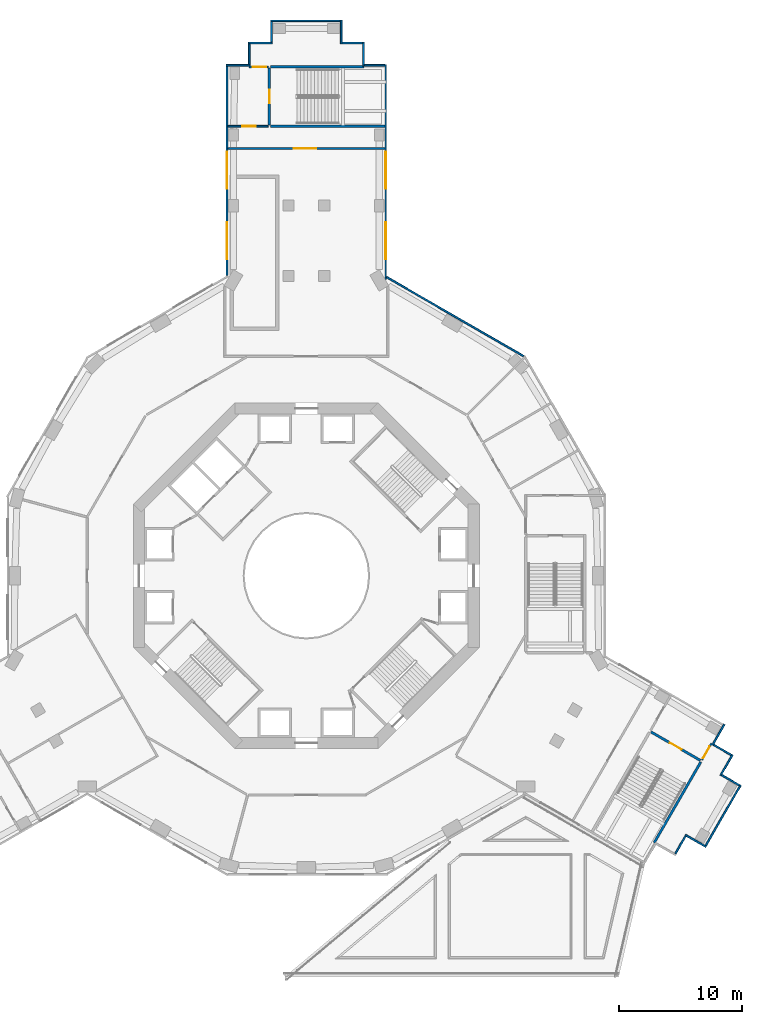
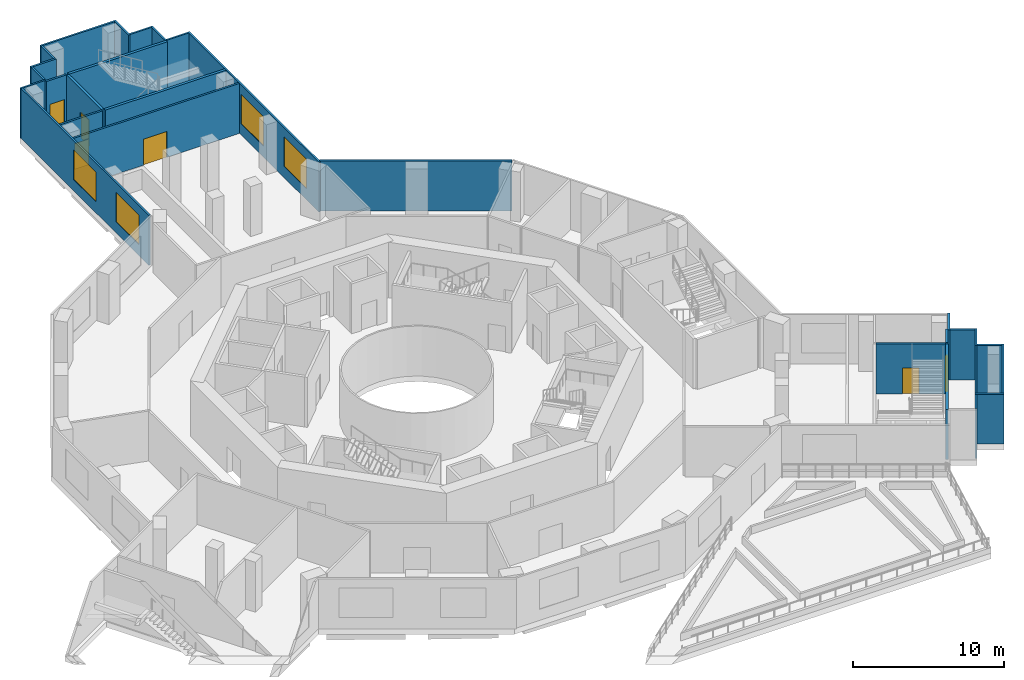
# One storey, part 7 of 21: 28 walls, 6 doors, 4 windows, 10 openings.
"""IFC4 building model written with IfcOpenShell, lengths in metres."""

from ifc_helpers import new_model, si_unit, direction, frame, frame_2d, origin, place, context, subcontext, project, spatial, rectangle, extrude, material, layer, layer_set, type_object, element, fill, save


model = new_model("IFC4")

# Units and contexts
model_context = context("Model", 3, precision=1e-05, world=origin(), true_north=direction((0.0, 1.0)))
body_context = subcontext(model_context, "Body", "Model", "MODEL_VIEW")
ifc_project = project(units=[si_unit("LENGTHUNIT", "METRE"), si_unit("AREAUNIT", "SQUARE_METRE"), si_unit("VOLUMEUNIT", "CUBIC_METRE"), si_unit("PLANEANGLEUNIT", "RADIAN"), si_unit("MASSUNIT", "GRAM", prefix="KILO")], contexts=[model_context])

# Site, building, storey
site_placement = place(None, origin())
site = spatial("IfcSite", under=ifc_project, at=site_placement, CompositionType="ELEMENT")
building_placement = place(site_placement, origin())
building = spatial("IfcBuilding", under=site, at=building_placement, Name="Verdalira Terraces Hotel", CompositionType="ELEMENT")
storey_placement = place(building_placement, frame((0.0, 0.0, 19.0)))
storey = spatial("IfcBuildingStorey", under=building, at=storey_placement, Name="L03", CompositionType="ELEMENT", Elevation=19.0)

# Wall, opening, door
ifc_material_1 = material(Name="Gypsum board partition on steel stud", Category="steel")
ifc_layer_1 = layer(ifc_material_1, 0.14990234375)
ifc_layer_set_1 = layer_set([ifc_layer_1], Name="Fire-rated partition 150 mm")
wall_type_1 = type_object("IfcWallType", Name="Fire-rated partition 150 mm", PredefinedType="PARTITIONING", material=ifc_layer_set_1)
wall_1_placement = place(storey_placement, frame((-6.360107, 34.600098, 0.0), z_axis=(0.0, 0.0, 1.0), x_axis=(1.0, 0.0, 0.0)))
wall_1 = element("IfcWall", 1, at=wall_1_placement, inside=storey, type_object=wall_type_1, Name="Partition", PredefinedType="PARTITIONING", context=body_context, shape_type="SweptSolid", body=[
    extrude(rectangle(XDim=12.720215, YDim=0.149902, at=frame_2d((6.360107, 0.0))), origin(), (0.0, 0.0, 1.0), 4.050049),
])
opening_1_placement = place(wall_1_placement, frame((5.350098, 0.0, 0.0)))
opening_1 = element("IfcOpeningElement", 2, at=opening_1_placement, cuts=wall_1, Name="Opening L03-D10", PredefinedType="OPENING", context=body_context, shape_type="SweptSolid", body=[
    extrude(rectangle(XDim=1.800049, YDim=2.100098, at=frame_2d((0.899902, 1.050049))), frame((0.0, 0.084961, 0.0), z_axis=(0.0, -1.0, 0.0), x_axis=(1.0, 0.0, 0.0)), (0.0, 0.0, 1.0), 0.169922),
])
ifc_material_2 = material(Name="Steel fire door", Category="steel")
door_type_1 = type_object("IfcDoorType", Name="Fire door pair 1800 x 2100", OperationType="DOUBLE_DOOR_SINGLE_SWING", PredefinedType="DOOR", material=ifc_material_2)
door_1_placement = place(opening_1_placement, origin())
door_1 = element("IfcDoor", 3, at=door_1_placement, inside=storey, type_object=door_type_1, Name="Stair approach corridor door", OperationType="DOUBLE_DOOR_SINGLE_SWING", OverallHeight=2.10009765625, OverallWidth=1.800048828125, PredefinedType="DOOR", context=body_context, shape_type="SweptSolid", body=[
    extrude(rectangle(XDim=1.800049, YDim=2.100098, at=frame_2d((0.899902, 1.050049))), frame((0.0, 0.024902, 0.0), z_axis=(0.0, -1.0, 0.0), x_axis=(1.0, 0.0, 0.0)), (0.0, 0.0, 1.0), 0.050049),
])
fill(opening_1, door_1)

wall_2_placement = place(storey_placement, frame((-3.099854, 36.399902, 0.0), z_axis=(0.0, 0.0, 1.0), x_axis=(-1.0, 0.0, 0.0)))
wall_2 = element("IfcWall", 4, at=wall_2_placement, inside=storey, type_object=wall_type_1, Name="Partition", PredefinedType="PARTITIONING", context=body_context, shape_type="SweptSolid", body=[
    extrude(rectangle(XDim=3.260254, YDim=0.149902, at=frame_2d((1.630127, 0.0))), origin(), (0.0, 0.0, 1.0), 4.050049),
])
opening_2_placement = place(wall_2_placement, frame((1.010254, 0.0, 0.0)))
opening_2 = element("IfcOpeningElement", 5, at=opening_2_placement, cuts=wall_2, Name="Opening L03-D11", PredefinedType="OPENING", context=body_context, shape_type="SweptSolid", body=[
    extrude(rectangle(XDim=1.100098, YDim=2.100098, at=frame_2d((0.550049, 1.050049))), frame((0.0, 0.084961, 0.0), z_axis=(0.0, -1.0, 0.0), x_axis=(1.0, 0.0, 0.0)), (0.0, 0.0, 1.0), 0.169922),
])
ifc_material_3 = material(Name="Steel fire door", Category="steel")
door_type_2 = type_object("IfcDoorType", Name="Stair door 1100 x 2100", OperationType="SINGLE_SWING_LEFT", PredefinedType="DOOR", material=ifc_material_3)
door_2_placement = place(opening_2_placement, origin())
door_2 = element("IfcDoor", 6, at=door_2_placement, inside=storey, type_object=door_type_2, Name="Stair door Stair approach corridor", OperationType="SINGLE_SWING_RIGHT", OverallHeight=2.10009765625, OverallWidth=1.10009765625, PredefinedType="DOOR", context=body_context, shape_type="SweptSolid", body=[
    extrude(rectangle(XDim=1.100098, YDim=2.100098, at=frame_2d((0.550049, 1.050049))), frame((0.0, 0.024902, 0.0), z_axis=(0.0, -1.0, 0.0), x_axis=(1.0, 0.0, 0.0)), (0.0, 0.0, 1.0), 0.050049),
])
fill(opening_2, door_2)

wall_3_placement = place(storey_placement, frame((-4.64502, 41.199951, 0.0), z_axis=(0.0, 0.0, 1.0), x_axis=(1.0, 0.0, 0.0)))
wall_3 = element("IfcWall", 7, at=wall_3_placement, inside=storey, type_object=wall_type_1, Name="Partition", PredefinedType="PARTITIONING", context=body_context, shape_type="SweptSolid", body=[
    extrude(rectangle(XDim=1.545166, YDim=0.149902, at=frame_2d((0.772461, 0.0))), origin(), (0.0, 0.0, 1.0), 4.050049),
])
opening_3_placement = place(wall_3_placement, frame((0.29541, 0.0, 0.0)))
opening_3 = element("IfcOpeningElement", 8, at=opening_3_placement, cuts=wall_3, Name="Opening L03-D13", PredefinedType="OPENING", context=body_context, shape_type="SweptSolid", body=[
    extrude(rectangle(XDim=1.100098, YDim=2.100098, at=frame_2d((0.550049, 1.050049))), frame((0.0, 0.084961, 0.0), z_axis=(0.0, -1.0, 0.0), x_axis=(1.0, 0.0, 0.0)), (0.0, 0.0, 1.0), 0.169922),
])
door_3_placement = place(opening_3_placement, origin())
door_3 = element("IfcDoor", 9, at=door_3_placement, inside=storey, type_object=door_type_2, Name="Stair door Stair vestibule PS1", OperationType="SINGLE_SWING_RIGHT", OverallHeight=2.10009765625, OverallWidth=1.10009765625, PredefinedType="DOOR", context=body_context, shape_type="SweptSolid", body=[
    extrude(rectangle(XDim=1.100098, YDim=2.100098, at=frame_2d((0.550049, 1.050049))), frame((0.0, 0.024902, 0.0), z_axis=(0.0, -1.0, 0.0), x_axis=(1.0, 0.0, 0.0)), (0.0, 0.0, 1.0), 0.050049),
])
fill(opening_3, door_3)

wall_4_placement = place(storey_placement, frame((32.806641, -13.577148, 0.0), z_axis=(0.0, 0.0, 1.0), x_axis=(-0.499995951, -0.866027742, 0.0)))
wall_4 = element("IfcWall", 10, at=wall_4_placement, inside=storey, type_object=wall_type_1, Name="Partition", PredefinedType="PARTITIONING", context=body_context, shape_type="SweptSolid", body=[
    extrude(rectangle(XDim=1.54541, YDim=0.149902, at=frame_2d((0.772705, 0.0))), origin(), (0.0, 0.0, 1.0), 4.050049),
])
opening_4_placement = place(wall_4_placement, frame((0.29541, 0.0, 0.0)))
opening_4 = element("IfcOpeningElement", 11, at=opening_4_placement, cuts=wall_4, Name="Opening L03-D27", PredefinedType="OPENING", context=body_context, shape_type="SweptSolid", body=[
    extrude(rectangle(XDim=1.100098, YDim=2.100098, at=frame_2d((0.550049, 1.050049))), frame((0.0, 0.084961, 0.0), z_axis=(0.0, -1.0, 0.0), x_axis=(1.0, 0.0, 0.0)), (0.0, 0.0, 1.0), 0.169922),
])
door_4_placement = place(opening_4_placement, origin())
door_4 = element("IfcDoor", 12, at=door_4_placement, inside=storey, type_object=door_type_2, Name="Stair door Stair vestibule PS3", OperationType="SINGLE_SWING_RIGHT", OverallHeight=2.10009765625, OverallWidth=1.10009765625, PredefinedType="DOOR", context=body_context, shape_type="SweptSolid", body=[
    extrude(rectangle(XDim=1.100098, YDim=2.100098, at=frame_2d((0.550049, 1.050049))), frame((0.0, 0.024902, 0.0), z_axis=(0.0, -1.0, 0.0), x_axis=(1.0, 0.0, 0.0)), (0.0, 0.0, 1.0), 0.050049),
])
fill(opening_4, door_4)

# Wall
ifc_material_4 = material(Name="Concrete C50", Category="concrete")
ifc_layer_2 = layer(ifc_material_4, 0.199951171875)
ifc_layer_set_2 = layer_set([ifc_layer_2], Name="Stair enclosure wall 200 mm")
wall_type_2 = type_object("IfcWallType", Name="Stair enclosure wall 200 mm", PredefinedType="SOLIDWALL", material=ifc_layer_set_2)
wall_5_placement = place(storey_placement, frame((-2.900146, 36.399902, 0.0), z_axis=(0.0, 0.0, 1.0), x_axis=(1.0, 0.0, 0.0)))
element("IfcWall", 13, at=wall_5_placement, inside=storey, type_object=wall_type_2, Name="Stair enclosure wall", PredefinedType="SOLIDWALL", context=body_context, shape_type="SweptSolid", body=[
    extrude(rectangle(XDim=9.260254, YDim=0.199951, at=frame_2d((4.630127, 0.0))), origin(), (0.0, 0.0, 1.0), 4.050049),
])

# Wall, opening, door
wall_6_placement = place(storey_placement, frame((-3.0, 36.5, 0.0), z_axis=(0.0, 0.0, 1.0), x_axis=(0.0, 1.0, 0.0)))
wall_6 = element("IfcWall", 14, at=wall_6_placement, inside=storey, type_object=wall_type_2, Name="Stair enclosure wall", PredefinedType="SOLIDWALL", context=body_context, shape_type="SweptSolid", body=[
    extrude(rectangle(XDim=4.600098, YDim=0.199951, at=frame_2d((2.300049, 0.0))), origin(), (0.0, 0.0, 1.0), 4.050049),
])
opening_5_placement = place(wall_6_placement, frame((1.75, 0.0, 0.0)))
opening_5 = element("IfcOpeningElement", 15, at=opening_5_placement, cuts=wall_6, Name="Opening L03-D14", PredefinedType="OPENING", context=body_context, shape_type="SweptSolid", body=[
    extrude(rectangle(XDim=1.100098, YDim=2.100098, at=frame_2d((0.550049, 1.050049))), frame((0.0, 0.109863, 0.0), z_axis=(0.0, -1.0, 0.0), x_axis=(1.0, 0.0, 0.0)), (0.0, 0.0, 1.0), 0.219971),
])
door_5_placement = place(opening_5_placement, origin())
door_5 = element("IfcDoor", 16, at=door_5_placement, inside=storey, type_object=door_type_2, Name="Stair door Stair lobby PS1", OperationType="SINGLE_SWING_LEFT", OverallHeight=2.10009765625, OverallWidth=1.10009765625, PredefinedType="DOOR", context=body_context, shape_type="SweptSolid", body=[
    extrude(rectangle(XDim=1.100098, YDim=2.100098, at=frame_2d((0.550049, 1.050049))), frame((0.0, 0.024902, 0.0), z_axis=(0.0, -1.0, 0.0), x_axis=(1.0, 0.0, 0.0)), (0.0, 0.0, 1.0), 0.050049),
])
fill(opening_5, door_5)

# Walls
for number, where, z_axis, x_axis, name in (
    (17, (4.64502, 41.199951, 0.0), (0.0, 0.0, 1.0), (-1.0, 0.0, 0.0), "Stair enclosure wall"),
    (18, (28.161621, -21.622803, 0.0), (0.0, 0.0, 1.0), (0.499981072, 0.866036332, 0.0), "Stair enclosure wall"),
):
    element("IfcWall", number, at=place(storey_placement, frame(where, z_axis=z_axis, x_axis=x_axis)), inside=storey, type_object=wall_type_2, Name=name, PredefinedType="SOLIDWALL", context=body_context, shape_type="SweptSolid", body=[
        extrude(rectangle(XDim=7.545166, YDim=0.199951, at=frame_2d((3.772461, 0.0))), origin(), (0.0, 0.0, 1.0), 4.050049),
    ])

# Wall, opening, door
wall_7_placement = place(storey_placement, frame((27.913818, -12.651855, 0.0), z_axis=(0.0, 0.0, 1.0), x_axis=(0.86601677, -0.500014953, 0.0)))
wall_7 = element("IfcWall", 19, at=wall_7_placement, inside=storey, type_object=wall_type_2, Name="Stair enclosure wall", PredefinedType="SOLIDWALL", context=body_context, shape_type="SweptSolid", body=[
    extrude(rectangle(XDim=4.599854, YDim=0.199951, at=frame_2d((2.299805, 0.0))), origin(), (0.0, 0.0, 1.0), 4.050049),
])
opening_6_placement = place(wall_7_placement, frame((1.75, 0.0, 0.0)))
opening_6 = element("IfcOpeningElement", 20, at=opening_6_placement, cuts=wall_7, Name="Opening L03-D26", PredefinedType="OPENING", context=body_context, shape_type="SweptSolid", body=[
    extrude(rectangle(XDim=1.100098, YDim=2.100098, at=frame_2d((0.550049, 1.050049))), frame((0.0, 0.109863, 0.0), z_axis=(0.0, -1.0, 0.0), x_axis=(1.0, 0.0, 0.0)), (0.0, 0.0, 1.0), 0.219971),
])
door_6_placement = place(opening_6_placement, origin())
door_6 = element("IfcDoor", 21, at=door_6_placement, inside=storey, type_object=door_type_2, Name="Stair door Stair lobby PS3", OperationType="SINGLE_SWING_LEFT", OverallHeight=2.10009765625, OverallWidth=1.10009765625, PredefinedType="DOOR", context=body_context, shape_type="SweptSolid", body=[
    extrude(rectangle(XDim=1.100098, YDim=2.100098, at=frame_2d((0.550049, 1.050049))), frame((0.0, 0.024902, 0.0), z_axis=(0.0, -1.0, 0.0), x_axis=(1.0, 0.0, 0.0)), (0.0, 0.0, 1.0), 0.050049),
])
fill(opening_6, door_6)

# Wall, openings, windows
ifc_material_5 = material(Name="Concrete C40", Category="concrete")
ifc_layer_3 = layer(ifc_material_5, 0.139892578125)
ifc_layer_set_3 = layer_set([ifc_layer_3], Name="Terracotta clad concrete wall C40 140 mm")
wall_type_3 = type_object("IfcWallType", Name="Terracotta clad concrete wall C40 140 mm", PredefinedType="SOLIDWALL", material=ifc_layer_set_3)
wall_8_placement = place(storey_placement, frame((6.429932, 23.995117, 0.0), z_axis=(0.0, 0.0, 1.0), x_axis=(0.0, 1.0, 0.0)))
wall_8 = element("IfcWall", 22, at=wall_8_placement, inside=storey, type_object=wall_type_3, Name="Podium facade wall", PredefinedType="SOLIDWALL", context=body_context, shape_type="SweptSolid", body=[
    extrude(rectangle(XDim=17.404785, YDim=0.139893, at=frame_2d((8.702393, 0.0))), origin(), (0.0, 0.0, 1.0), 4.050049),
])
opening_7_placement = place(wall_8_placement, frame((1.634277, 0.0, 0.899902)))
opening_7 = element("IfcOpeningElement", 23, at=opening_7_placement, cuts=wall_8, Name="Opening WP", PredefinedType="OPENING", context=body_context, shape_type="SweptSolid", body=[
    extrude(rectangle(XDim=3.0, YDim=2.399902, at=frame_2d((1.5, 1.199951))), frame((0.0, 0.079834, 0.0), z_axis=(0.0, -1.0, 0.0), x_axis=(1.0, 0.0, 0.0)), (0.0, 0.0, 1.0), 0.159912),
])
opening_8_placement = place(wall_8_placement, frame((7.333984, 0.0, 0.899902)))
opening_8 = element("IfcOpeningElement", 24, at=opening_8_placement, cuts=wall_8, Name="Opening WP", PredefinedType="OPENING", context=body_context, shape_type="SweptSolid", body=[
    extrude(rectangle(XDim=3.0, YDim=2.399902, at=frame_2d((1.5, 1.199951))), frame((0.0, 0.079834, 0.0), z_axis=(0.0, -1.0, 0.0), x_axis=(1.0, 0.0, 0.0)), (0.0, 0.0, 1.0), 0.159912),
])
ifc_material_6 = material(Name="Clear double glazing in aluminium frame", Category="aluminium")
window_type = type_object("IfcWindowType", Name="Podium window 3000 x 2400", PartitioningType="SINGLE_PANEL", PredefinedType="WINDOW", material=ifc_material_6)
window_1_placement = place(opening_7_placement, origin())
window_1 = element("IfcWindow", 25, at=window_1_placement, inside=storey, type_object=window_type, Name="Podium window", OverallHeight=2.39990234375, OverallWidth=3.0, PartitioningType="SINGLE_PANEL", PredefinedType="WINDOW", context=body_context, shape_type="SweptSolid", body=[
    extrude(rectangle(XDim=3.0, YDim=2.399902, at=frame_2d((1.5, 1.199951))), frame((0.0, 0.030029, 0.0), z_axis=(0.0, -1.0, 0.0), x_axis=(1.0, 0.0, 0.0)), (0.0, 0.0, 1.0), 0.060059),
])
fill(opening_7, window_1)
window_2_placement = place(opening_8_placement, origin())
window_2 = element("IfcWindow", 26, at=window_2_placement, inside=storey, type_object=window_type, Name="Podium window", OverallHeight=2.39990234375, OverallWidth=3.0, PartitioningType="SINGLE_PANEL", PredefinedType="WINDOW", context=body_context, shape_type="SweptSolid", body=[
    extrude(rectangle(XDim=3.0, YDim=2.399902, at=frame_2d((1.5, 1.199951))), frame((0.0, 0.030029, 0.0), z_axis=(0.0, -1.0, 0.0), x_axis=(1.0, 0.0, 0.0)), (0.0, 0.0, 1.0), 0.060059),
])
fill(opening_8, window_2)

# Walls
wall_9_placement = place(storey_placement, frame((6.360107, 41.330078, 0.0), z_axis=(0.0, 0.0, 1.0), x_axis=(-1.0, 0.0, 0.0)))
element("IfcWall", 27, at=wall_9_placement, inside=storey, type_object=wall_type_3, Name="Podium facade wall", PredefinedType="SOLIDWALL", context=body_context, shape_type="SweptSolid", body=[
    extrude(rectangle(XDim=1.660156, YDim=0.139893, at=frame_2d((0.830078, 0.0))), origin(), (0.0, 0.0, 1.0), 4.050049),
])
wall_10_placement = place(storey_placement, frame((4.629883, 41.26001, 0.0), z_axis=(0.0, 0.0, 1.0), x_axis=(0.0, 1.0, 0.0)))
element("IfcWall", 28, at=wall_10_placement, inside=storey, type_object=wall_type_3, Name="Podium facade wall", PredefinedType="SOLIDWALL", context=body_context, shape_type="SweptSolid", body=[
    extrude(rectangle(XDim=1.939941, YDim=0.139893, at=frame_2d((0.969971, 0.0))), origin(), (0.0, 0.0, 1.0), 4.050049),
])
ifc_material_7 = material(Name="Terracotta cladding on steel stud backup", Category="masonry")
ifc_layer_4 = layer(ifc_material_7, 0.139892578125)
ifc_layer_set_4 = layer_set([ifc_layer_4], Name="Terracotta clad wall 140 mm")
wall_type_4 = type_object("IfcWallType", Name="Terracotta clad wall 140 mm", PredefinedType="SOLIDWALL", material=ifc_layer_set_4)
wall_11_placement = place(storey_placement, frame((4.560059, 43.129883, 0.0), z_axis=(0.0, 0.0, 1.0), x_axis=(-1.0, 0.0, 0.0)))
element("IfcWall", 29, at=wall_11_placement, inside=storey, type_object=wall_type_4, Name="Podium facade wall", PredefinedType="SOLIDWALL", context=body_context, shape_type="SweptSolid", body=[
    extrude(rectangle(XDim=1.660156, YDim=0.139893, at=frame_2d((0.830078, 0.0))), origin(), (0.0, 0.0, 1.0), 4.050049),
])
wall_12_placement = place(storey_placement, frame((2.830078, 43.060059, 0.0), z_axis=(0.0, 0.0, 1.0), x_axis=(0.0, 1.0, 0.0)))
element("IfcWall", 30, at=wall_12_placement, inside=storey, type_object=wall_type_4, Name="Podium facade wall", PredefinedType="SOLIDWALL", context=body_context, shape_type="SweptSolid", body=[
    extrude(rectangle(XDim=1.939941, YDim=0.139893, at=frame_2d((0.969971, 0.0))), origin(), (0.0, 0.0, 1.0), 4.050049),
])
wall_13_placement = place(storey_placement, frame((2.76001, 44.929932, 0.0), z_axis=(0.0, 0.0, 1.0), x_axis=(-1.0, 0.0, 0.0)))
element("IfcWall", 31, at=wall_13_placement, inside=storey, type_object=wall_type_4, Name="Podium facade wall", PredefinedType="SOLIDWALL", context=body_context, shape_type="SweptSolid", body=[
    extrude(rectangle(XDim=5.659912, YDim=0.139893, at=frame_2d((2.830078, 0.0))), origin(), (0.0, 0.0, 1.0), 4.050049),
])
wall_14_placement = place(storey_placement, frame((-2.830078, 44.860107, 0.0), z_axis=(0.0, 0.0, 1.0), x_axis=(0.0, -1.0, 0.0)))
element("IfcWall", 32, at=wall_14_placement, inside=storey, type_object=wall_type_4, Name="Podium facade wall", PredefinedType="SOLIDWALL", context=body_context, shape_type="SweptSolid", body=[
    extrude(rectangle(XDim=1.660156, YDim=0.139893, at=frame_2d((0.830078, 0.0))), origin(), (0.0, 0.0, 1.0), 4.050049),
])
wall_15_placement = place(storey_placement, frame((-2.76001, 43.129883, 0.0), z_axis=(0.0, 0.0, 1.0), x_axis=(-1.0, 0.0, 0.0)))
element("IfcWall", 33, at=wall_15_placement, inside=storey, type_object=wall_type_4, Name="Podium facade wall", PredefinedType="SOLIDWALL", context=body_context, shape_type="SweptSolid", body=[
    extrude(rectangle(XDim=1.939941, YDim=0.139893, at=frame_2d((0.969971, 0.0))), origin(), (0.0, 0.0, 1.0), 4.050049),
])
wall_16_placement = place(storey_placement, frame((-4.629883, 43.060059, 0.0), z_axis=(0.0, 0.0, 1.0), x_axis=(0.0, -1.0, 0.0)))
element("IfcWall", 34, at=wall_16_placement, inside=storey, type_object=wall_type_4, Name="Podium facade wall", PredefinedType="SOLIDWALL", context=body_context, shape_type="SweptSolid", body=[
    extrude(rectangle(XDim=1.660156, YDim=0.139893, at=frame_2d((0.830078, 0.0))), origin(), (0.0, 0.0, 1.0), 4.050049),
])
wall_17_placement = place(storey_placement, frame((-4.560059, 41.330078, 0.0), z_axis=(0.0, 0.0, 1.0), x_axis=(-1.0, 0.0, 0.0)))
element("IfcWall", 35, at=wall_17_placement, inside=storey, type_object=wall_type_4, Name="Podium facade wall", PredefinedType="SOLIDWALL", context=body_context, shape_type="SweptSolid", body=[
    extrude(rectangle(XDim=1.939941, YDim=0.139893, at=frame_2d((0.969971, 0.0))), origin(), (0.0, 0.0, 1.0), 4.050049),
])

# Wall, openings, windows
wall_18_placement = place(storey_placement, frame((-6.429932, 41.26001, 0.0), z_axis=(0.0, 0.0, 1.0), x_axis=(0.0, -1.0, 0.0)))
wall_18 = element("IfcWall", 36, at=wall_18_placement, inside=storey, type_object=wall_type_4, Name="Podium facade wall", PredefinedType="SOLIDWALL", context=body_context, shape_type="SweptSolid", body=[
    extrude(rectangle(XDim=16.961426, YDim=0.139893, at=frame_2d((8.480713, 0.0))), origin(), (0.0, 0.0, 1.0), 4.050049),
])
opening_9_placement = place(wall_18_placement, frame((6.930908, 0.0, 0.899902)))
opening_9 = element("IfcOpeningElement", 37, at=opening_9_placement, cuts=wall_18, Name="Opening WP", PredefinedType="OPENING", context=body_context, shape_type="SweptSolid", body=[
    extrude(rectangle(XDim=3.0, YDim=2.399902, at=frame_2d((1.5, 1.199951))), frame((0.0, 0.079834, 0.0), z_axis=(0.0, -1.0, 0.0), x_axis=(1.0, 0.0, 0.0)), (0.0, 0.0, 1.0), 0.159912),
])
opening_10_placement = place(wall_18_placement, frame((12.630615, 0.0, 0.899902)))
opening_10 = element("IfcOpeningElement", 38, at=opening_10_placement, cuts=wall_18, Name="Opening WP", PredefinedType="OPENING", context=body_context, shape_type="SweptSolid", body=[
    extrude(rectangle(XDim=3.0, YDim=2.399902, at=frame_2d((1.5, 1.199951))), frame((0.0, 0.079834, 0.0), z_axis=(0.0, -1.0, 0.0), x_axis=(1.0, 0.0, 0.0)), (0.0, 0.0, 1.0), 0.159912),
])
window_3_placement = place(opening_9_placement, origin())
window_3 = element("IfcWindow", 39, at=window_3_placement, inside=storey, type_object=window_type, Name="Podium window", OverallHeight=2.39990234375, OverallWidth=3.0, PartitioningType="SINGLE_PANEL", PredefinedType="WINDOW", context=body_context, shape_type="SweptSolid", body=[
    extrude(rectangle(XDim=3.0, YDim=2.399902, at=frame_2d((1.5, 1.199951))), frame((0.0, 0.030029, 0.0), z_axis=(0.0, -1.0, 0.0), x_axis=(1.0, 0.0, 0.0)), (0.0, 0.0, 1.0), 0.060059),
])
fill(opening_9, window_3)
window_4_placement = place(opening_10_placement, origin())
window_4 = element("IfcWindow", 40, at=window_4_placement, inside=storey, type_object=window_type, Name="Podium window", OverallHeight=2.39990234375, OverallWidth=3.0, PartitioningType="SINGLE_PANEL", PredefinedType="WINDOW", context=body_context, shape_type="SweptSolid", body=[
    extrude(rectangle(XDim=3.0, YDim=2.399902, at=frame_2d((1.5, 1.199951))), frame((0.0, 0.030029, 0.0), z_axis=(0.0, -1.0, 0.0), x_axis=(1.0, 0.0, 0.0)), (0.0, 0.0, 1.0), 0.060059),
])
fill(opening_10, window_4)

# Walls
wall_19_placement = place(storey_placement, frame((29.875488, -22.51416, 0.0), z_axis=(0.0, 0.0, 1.0), x_axis=(0.499998264, 0.866026406, 0.0)))
element("IfcWall", 41, at=wall_19_placement, inside=storey, type_object=wall_type_4, Name="Podium facade wall", PredefinedType="SOLIDWALL", context=body_context, shape_type="SweptSolid", body=[
    extrude(rectangle(XDim=1.660156, YDim=0.139893, at=frame_2d((0.830078, 0.0))), origin(), (0.0, 0.0, 1.0), 4.050049),
])
wall_20_placement = place(storey_placement, frame((30.679932, -20.980957, 0.0), z_axis=(0.0, 0.0, 1.0), x_axis=(0.866043088, -0.499969368, 0.0)))
element("IfcWall", 42, at=wall_20_placement, inside=storey, type_object=wall_type_4, Name="Podium facade wall", PredefinedType="SOLIDWALL", context=body_context, shape_type="SweptSolid", body=[
    extrude(rectangle(XDim=1.939941, YDim=0.139893, at=frame_2d((0.969971, 0.0))), origin(), (0.0, 0.0, 1.0), 4.050049),
])
wall_21_placement = place(storey_placement, frame((32.334473, -21.855225, 0.0), z_axis=(0.0, 0.0, 1.0), x_axis=(0.499985074, 0.866034021, 0.0)))
element("IfcWall", 43, at=wall_21_placement, inside=storey, type_object=wall_type_4, Name="Podium facade wall", PredefinedType="SOLIDWALL", context=body_context, shape_type="SweptSolid", body=[
    extrude(rectangle(XDim=5.659912, YDim=0.139893, at=frame_2d((2.830078, 0.0))), origin(), (0.0, 0.0, 1.0), 4.050049),
])
wall_22_placement = place(storey_placement, frame((35.068604, -16.979004, 0.0), z_axis=(0.0, 0.0, 1.0), x_axis=(-0.866053324, 0.499951638, 0.0)))
element("IfcWall", 44, at=wall_22_placement, inside=storey, type_object=wall_type_4, Name="Podium facade wall", PredefinedType="SOLIDWALL", context=body_context, shape_type="SweptSolid", body=[
    extrude(rectangle(XDim=1.659912, YDim=0.139893, at=frame_2d((0.830078, 0.0))), origin(), (0.0, 0.0, 1.0), 4.050049),
])
wall_23_placement = place(storey_placement, frame((33.5354, -16.174805, 0.0), z_axis=(0.0, 0.0, 1.0), x_axis=(0.500063744, 0.865988598, 0.0)))
element("IfcWall", 45, at=wall_23_placement, inside=storey, type_object=wall_type_4, Name="Podium facade wall", PredefinedType="SOLIDWALL", context=body_context, shape_type="SweptSolid", body=[
    extrude(rectangle(XDim=1.940186, YDim=0.139893, at=frame_2d((0.970215, 0.0))), origin(), (0.0, 0.0, 1.0), 4.050049),
])
wall_24_placement = place(storey_placement, frame((34.409912, -14.520264, 0.0), z_axis=(0.0, 0.0, 1.0), x_axis=(-0.865989634, 0.500061949, 0.0)))
element("IfcWall", 46, at=wall_24_placement, inside=storey, type_object=wall_type_4, Name="Podium facade wall", PredefinedType="SOLIDWALL", context=body_context, shape_type="SweptSolid", body=[
    extrude(rectangle(XDim=1.659912, YDim=0.139893, at=frame_2d((0.830078, 0.0))), origin(), (0.0, 0.0, 1.0), 4.050049),
])
wall_25_placement = place(storey_placement, frame((32.876709, -13.71582, 0.0), z_axis=(0.0, 0.0, 1.0), x_axis=(0.500023862, 0.866011627, 0.0)))
element("IfcWall", 47, at=wall_25_placement, inside=storey, type_object=wall_type_4, Name="Podium facade wall", PredefinedType="SOLIDWALL", context=body_context, shape_type="SweptSolid", body=[
    extrude(rectangle(XDim=1.939941, YDim=0.139893, at=frame_2d((0.969971, 0.0))), origin(), (0.0, 0.0, 1.0), 4.050049),
])
wall_26_placement = place(storey_placement, frame((17.585693, 17.7771, 0.0), z_axis=(0.0, 0.0, 1.0), x_axis=(-0.866023287, 0.500003667, 0.0)))
element("IfcWall", 48, at=wall_26_placement, inside=storey, type_object=wall_type_4, Name="Podium facade wall", PredefinedType="SOLIDWALL", context=body_context, shape_type="SweptSolid", body=[
    extrude(rectangle(XDim=12.800781, YDim=0.139893, at=frame_2d((6.400391, 0.0))), origin(), (0.0, 0.0, 1.0), 4.050049),
])

save(model, "model.ifc")
